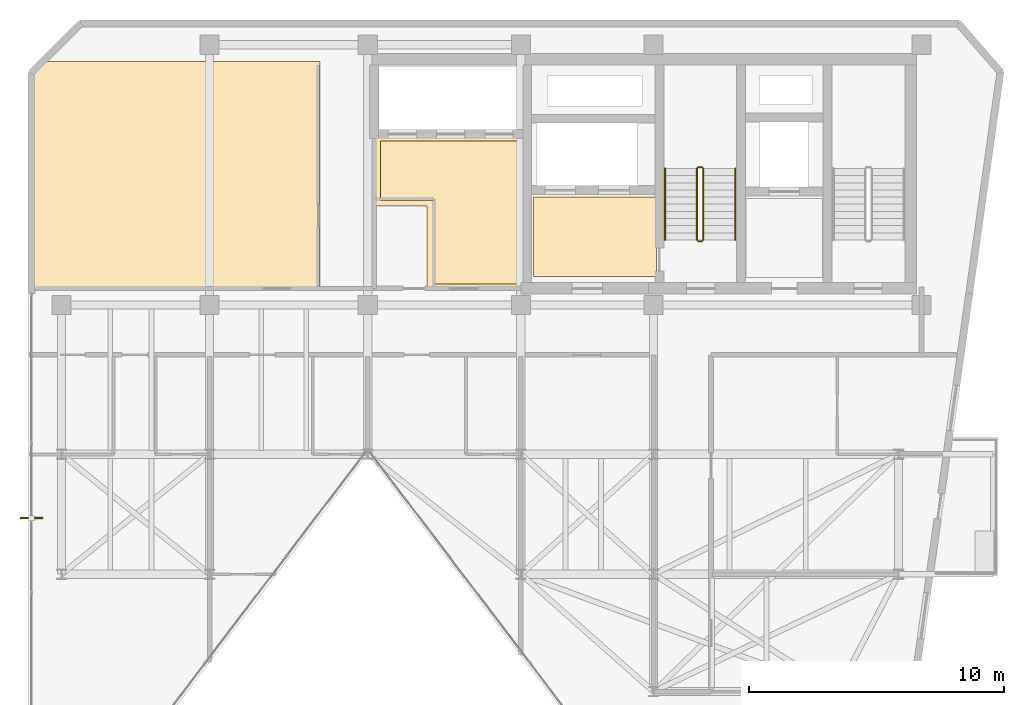
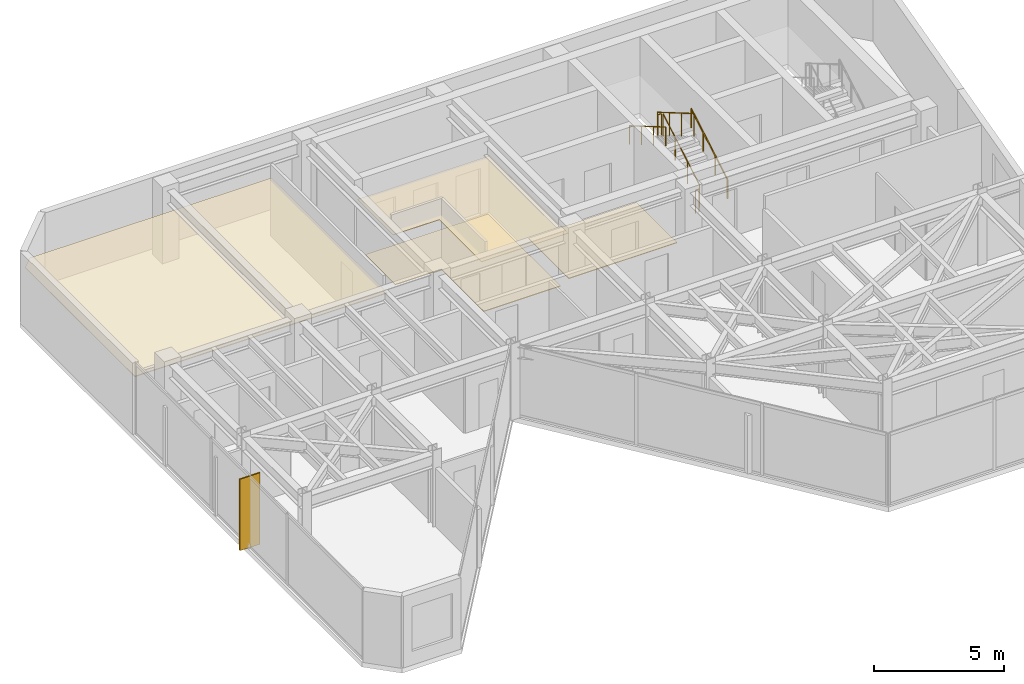
# One storey, part 16 of 17: 6 railings, 4 coverings, 1 shading device.
"""IFC4 building model written with IfcOpenShell, lengths in metres."""

from ifc_helpers import new_model, si_unit, direction, frame, origin, origin_2d, place, context, subcontext, project, spatial, polyline, rectangle, circle, outline, extrude, material, layer, layer_set, type_object, element, save


model = new_model("IFC4")

# Units and contexts
model_context = context("Model", 3, precision=1e-05, world=origin(), true_north=direction((0.0, 1.0)))
body_context = subcontext(model_context, "Body", "Model", "MODEL_VIEW")
ifc_project = project(units=[si_unit("LENGTHUNIT", "METRE"), si_unit("AREAUNIT", "SQUARE_METRE"), si_unit("VOLUMEUNIT", "CUBIC_METRE"), si_unit("PLANEANGLEUNIT", "RADIAN"), si_unit("MASSUNIT", "GRAM", prefix="KILO")], contexts=[model_context])

# Site, building, storey
site_placement = place(None, origin())
site = spatial("IfcSite", under=ifc_project, at=site_placement, CompositionType="ELEMENT")
building_placement = place(site_placement, origin())
building = spatial("IfcBuilding", under=site, at=building_placement, Name="Kravanh Interchange Tower", CompositionType="ELEMENT")
storey_placement = place(building_placement, frame((0.0, 0.0, 282.300048828125)))
storey = spatial("IfcBuildingStorey", under=building, at=storey_placement, Name="L69", CompositionType="ELEMENT", Elevation=282.300048828125)

# Coverings
ifc_material_1 = material(Name="Cementitious Terrazzo Tile")
ifc_layer_1 = layer(ifc_material_1, 0.030029296875)
ifc_layer_set_1 = layer_set([ifc_layer_1], Name="Honed Terrazzo Lobby Flooring 30mm")
covering_type_1 = type_object("IfcCoveringType", Name="Honed Terrazzo Lobby Flooring 30mm", PredefinedType="FLOORING", material=ifc_layer_set_1)
covering_1_placement = place(storey_placement, origin())
element("IfcCovering", 1, at=covering_1_placement, inside=storey, type_object=covering_type_1, Name="L69 Firefighting Lobby Floor Finish", PredefinedType="FLOORING", context=body_context, shape_type="SweptSolid", body=[
    extrude(outline(polyline([(56.1201171875, 38.4599609375), (51.300048828125, 38.4599609375), (51.300048828125, 41.580078125), (56.1201171875, 41.580078125), (56.1201171875, 38.4599609375)])), origin(), (0.0, 0.0, 1.0), 0.030029296875),
])
covering_2_placement = place(storey_placement, origin())
element("IfcCovering", 2, at=covering_2_placement, inside=storey, type_object=covering_type_1, Name="L69 High-Rise Lift Lobby Floor Finish", PredefinedType="FLOORING", context=body_context, shape_type="SweptSolid", body=[
    extrude(outline(polyline([(50.77001953125, 43.77001953125), (50.77001953125, 38.179931640625), (47.35009765625, 38.179931640625), (47.35009765625, 41.449951171875), (45.300048828125, 41.449951171875), (45.300048828125, 43.77001953125), (50.77001953125, 43.77001953125)])), origin(), (0.0, 0.0, 1.0), 0.030029296875),
])
ifc_material_2 = material(Name="Anodised Bronze Aluminium Acoustic Baffle", Category="aluminium")
ifc_layer_2 = layer(ifc_material_2, 0.034912109375)
ifc_layer_set_2 = layer_set([ifc_layer_2], Name="Linear Bronze Baffle Feature Ceiling 35mm")
covering_type_2 = type_object("IfcCoveringType", Name="Linear Bronze Baffle Feature Ceiling 35mm", PredefinedType="CEILING", material=ifc_layer_set_2)
covering_3_placement = place(storey_placement, frame((0.0, 0.0, 2.550048828125)))
element("IfcCovering", 3, at=covering_3_placement, inside=storey, type_object=covering_type_2, Name="L69 Guest Wellness Fitness Lounge Suspended Ceiling", PredefinedType="CEILING", context=body_context, shape_type="SweptSolid", body=[
    extrude(outline(polyline([(42.929931640625, 37.9599609375), (31.679931640625, 37.9599609375), (31.679931640625, 46.42529296875), (32.14453125, 46.889892578125), (42.929931640625, 46.889892578125), (42.929931640625, 37.9599609375)])), origin(), (0.0, 0.0, 1.0), 0.034912109375),
])
ifc_material_3 = material(Name="Acoustic Mineral Fibre Tile on Aluminium Grid", Category="aluminium")
ifc_layer_3 = layer(ifc_material_3, 0.02490234375)
ifc_layer_set_3 = layer_set([ifc_layer_3], Name="Perforated Acoustic Mineral Ceiling 25mm")
covering_type_3 = type_object("IfcCoveringType", Name="Perforated Acoustic Mineral Ceiling 25mm", PredefinedType="CEILING", material=ifc_layer_set_3)
covering_4_placement = place(storey_placement, frame((0.0, 0.0, 2.550048828125)))
element("IfcCovering", 4, at=covering_4_placement, inside=storey, type_object=covering_type_3, Name="L69 High-Rise Lift Lobby Suspended Ceiling", PredefinedType="CEILING", context=body_context, shape_type="SweptSolid", body=[
    extrude(outline(polyline([(47.1298828125, 37.9599609375), (47.1298828125, 41.22998046875), (45.080078125, 41.22998046875), (45.080078125, 43.989990234375), (50.989990234375, 43.989990234375), (50.989990234375, 37.9599609375), (47.1298828125, 37.9599609375)])), origin(), (0.0, 0.0, 1.0), 0.02490234375),
])

# Railings
ifc_material_4 = material(Name="Structural Steel S355", Category="steel")
ifc_layer_4 = layer(ifc_material_4, 0.050048828125)
ifc_layer_set_4 = layer_set([ifc_layer_4], Name="Stair Well Guardrail Structural Steel S355 1100mm")
railing_type_1 = type_object("IfcRailingType", Name="Stair Well Guardrail Structural Steel S355 1100mm", PredefinedType="GUARDRAIL", material=ifc_layer_set_4)
railing_1_placement = place(storey_placement, frame((57.949951171875, 39.89990234375, 0.16357421875)))
element("IfcRailing", 5, at=railing_1_placement, inside=storey, type_object=railing_type_1, Name="L69 ST2 stair guard 1", PredefinedType="GUARDRAIL", context=body_context, shape_type="SweptSolid", body=[
    extrude(circle(Radius=0.02392578125, at=origin_2d()), frame((0.0, 0.0, 1.076171875), z_axis=(0.0, 0.863360870873, 0.504586966384), x_axis=(-1.0, 0.0, 0.0)), (0.0, 0.0, 1.0), 3.2431640625),
    extrude(circle(Radius=0.02099609375, at=origin_2d()), origin(), (0.0, 0.0, 1.0), 1.052001953125),
    extrude(circle(Radius=0.02099609375, at=origin_2d()), frame((0.0, 0.933349609375, 0.54541015625)), (0.0, 0.0, 1.0), 1.052001953125),
    extrude(circle(Radius=0.02099609375, at=origin_2d()), frame((0.0, 1.86669921875, 1.091064453125)), (0.0, 0.0, 1.0), 1.052001953125),
    extrude(circle(Radius=0.02099609375, at=origin_2d()), frame((0.0, 2.800048828125, 1.636474609375)), (0.0, 0.0, 1.0), 1.052001953125),
])
railing_2_placement = place(storey_placement, frame((57.89990234375, 42.75, 1.800048828125)))
element("IfcRailing", 6, at=railing_2_placement, inside=storey, type_object=railing_type_1, Name="L69 ST2 stair guard 2", PredefinedType="GUARDRAIL", context=body_context, shape_type="SweptSolid", body=[
    extrude(circle(Radius=0.02392578125, at=origin_2d()), frame((0.0, 0.0, 1.076171875), z_axis=(-1.0, 0.0, 0.0), x_axis=(0.0, -1.0, 0.0)), (0.0, 0.0, 1.0), 0.14990234375),
    extrude(circle(Radius=0.02099609375, at=origin_2d()), origin(), (0.0, 0.0, 1.0), 1.052001953125),
    extrude(circle(Radius=0.02099609375, at=origin_2d()), frame((-0.14990234375, 0.0, 0.0)), (0.0, 0.0, 1.0), 1.052001953125),
])
railing_3_placement = place(storey_placement, frame((57.699951171875, 42.699951171875, 1.963623046875)))
element("IfcRailing", 7, at=railing_3_placement, inside=storey, type_object=railing_type_1, Name="L69 ST2 stair guard 3", PredefinedType="GUARDRAIL", context=body_context, shape_type="SweptSolid", body=[
    extrude(circle(Radius=0.02392578125, at=origin_2d()), frame((0.0, 0.0, 1.076171875), z_axis=(0.0, -0.863393664356, 0.504530851732), x_axis=(1.0, 0.0, 0.0)), (0.0, 0.0, 1.0), 3.2431640625),
    extrude(circle(Radius=0.02099609375, at=origin_2d()), origin(), (0.0, 0.0, 1.0), 1.052001953125),
    extrude(circle(Radius=0.02099609375, at=origin_2d()), frame((0.0, -0.933349609375, 0.54541015625)), (0.0, 0.0, 1.0), 1.052001953125),
    extrude(circle(Radius=0.02099609375, at=origin_2d()), frame((0.0, -1.86669921875, 1.0908203125)), (0.0, 0.0, 1.0), 1.052001953125),
    extrude(circle(Radius=0.02099609375, at=origin_2d()), frame((0.0, -2.800048828125, 1.63623046875)), (0.0, 0.0, 1.0), 1.052001953125),
])
railing_4_placement = place(storey_placement, frame((57.89990234375, 39.85009765625, 0.0)))
element("IfcRailing", 8, at=railing_4_placement, inside=storey, type_object=railing_type_1, Name="L69 ST2 stair guard 4", PredefinedType="GUARDRAIL", context=body_context, shape_type="SweptSolid", body=[
    extrude(circle(Radius=0.02392578125, at=origin_2d()), frame((0.0, 0.0, 1.076171875), z_axis=(-1.0, 0.0, 0.0), x_axis=(0.0, -1.0, 0.0)), (0.0, 0.0, 1.0), 0.14990234375),
    extrude(circle(Radius=0.02099609375, at=origin_2d()), origin(), (0.0, 0.0, 1.0), 1.052001953125),
    extrude(circle(Radius=0.02099609375, at=origin_2d()), frame((-0.14990234375, 0.0, 0.0)), (0.0, 0.0, 1.0), 1.052001953125),
])
ifc_material_5 = material(Name="Stainless Steel 304", Category="steel")
ifc_layer_5 = layer(ifc_material_5, 0.044921875)
ifc_layer_set_5 = layer_set([ifc_layer_5], Name="Tubular Stair Handrail Stainless 304 900mm")
railing_type_2 = type_object("IfcRailingType", Name="Tubular Stair Handrail Stainless 304 900mm", PredefinedType="HANDRAIL", material=ifc_layer_set_5)
railing_5_placement = place(storey_placement, frame((59.199951171875, 39.89990234375, 0.16357421875)))
element("IfcRailing", 9, at=railing_5_placement, inside=storey, type_object=railing_type_2, Name="L69 ST2 stair handrail 1", PredefinedType="HANDRAIL", context=body_context, shape_type="SweptSolid", body=[
    extrude(circle(Radius=0.02392578125, at=origin_2d()), frame((0.0, 0.0, 0.8759765625), z_axis=(0.0, 0.863360870873, 0.504586966384), x_axis=(-1.0, 0.0, 0.0)), (0.0, 0.0, 1.0), 3.2431640625),
    extrude(circle(Radius=0.02099609375, at=origin_2d()), origin(), (0.0, 0.0, 1.0), 0.851806640625),
    extrude(circle(Radius=0.02099609375, at=origin_2d()), frame((0.0, 0.933349609375, 0.54541015625)), (0.0, 0.0, 1.0), 0.851806640625),
    extrude(circle(Radius=0.02099609375, at=origin_2d()), frame((0.0, 1.86669921875, 1.091064453125)), (0.0, 0.0, 1.0), 0.851806640625),
    extrude(circle(Radius=0.02099609375, at=origin_2d()), frame((0.0, 2.800048828125, 1.636474609375)), (0.0, 0.0, 1.0), 0.851806640625),
])
railing_6_placement = place(storey_placement, frame((56.449951171875, 42.699951171875, 1.963623046875)))
element("IfcRailing", 10, at=railing_6_placement, inside=storey, type_object=railing_type_2, Name="L69 ST2 stair handrail 2", PredefinedType="HANDRAIL", context=body_context, shape_type="SweptSolid", body=[
    extrude(circle(Radius=0.02392578125, at=origin_2d()), frame((0.0, 0.0, 0.8759765625), z_axis=(0.0, -0.863393664356, 0.504530851732), x_axis=(1.0, 0.0, 0.0)), (0.0, 0.0, 1.0), 3.2431640625),
    extrude(circle(Radius=0.02099609375, at=origin_2d()), origin(), (0.0, 0.0, 1.0), 0.851806640625),
    extrude(circle(Radius=0.02099609375, at=origin_2d()), frame((0.0, -0.933349609375, 0.54541015625)), (0.0, 0.0, 1.0), 0.851806640625),
    extrude(circle(Radius=0.02099609375, at=origin_2d()), frame((0.0, -1.86669921875, 1.0908203125)), (0.0, 0.0, 1.0), 0.851806640625),
    extrude(circle(Radius=0.02099609375, at=origin_2d()), frame((0.0, -2.800048828125, 1.63623046875)), (0.0, 0.0, 1.0), 0.851806640625),
])

# Shading device
ifc_material_6 = material(Name="Anodised Champagne Bronze Aluminium", Category="aluminium")
ifc_layer_6 = layer(ifc_material_6, 0.06005859375)
ifc_layer_set_6 = layer_set([ifc_layer_6], Name="Vertical Bronze Solar Fin 900mm")
shading_device_type = type_object("IfcShadingDeviceType", Name="Vertical Bronze Solar Fin 900mm", PredefinedType="USERDEFINED", material=ifc_layer_set_6)
shading_device_placement = place(storey_placement, frame((31.6201171875, 28.994873046875, 0.0), z_axis=(0.0, 0.0, 1.0), x_axis=(-1.0, 0.0, 0.0)))
element("IfcShadingDevice", 11, at=shading_device_placement, inside=storey, type_object=shading_device_type, Name="L69 BRONZE SOLAR FIN 1", ObjectType="FIN", PredefinedType="USERDEFINED", context=body_context, shape_type="SweptSolid", body=[
    extrude(rectangle(XDim=0.89990234375, YDim=0.06005859375, at=origin_2d()), origin(), (0.0, 0.0, 1.0), 3.364990234375),
])

save(model, "model.ifc")
